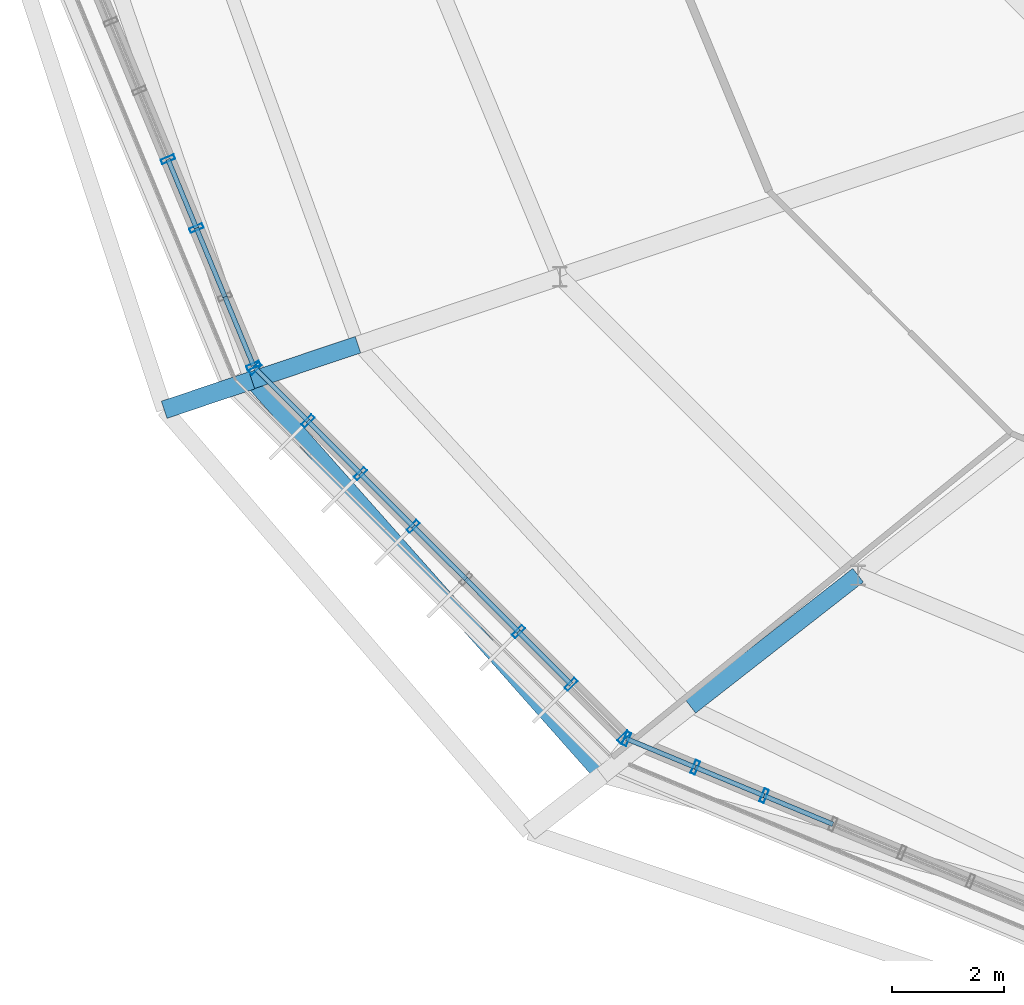
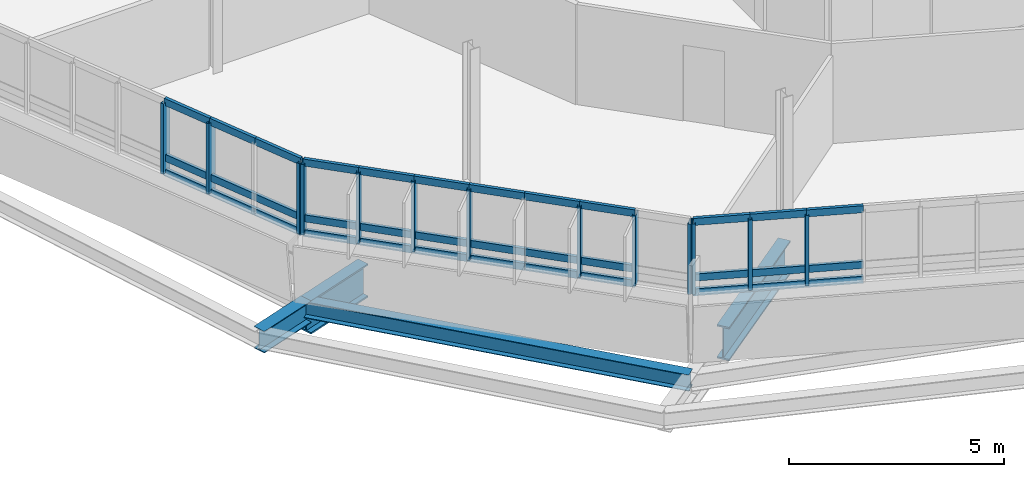
# One storey, part 5 of 31: 49 members, 4 beams, 3 elements without a shape of their own.
"""IFC4 building model written with IfcOpenShell, lengths in metres."""

from ifc_helpers import new_model, si_unit, derived_unit, direction, frame, origin, origin_2d, place, context, subcontext, project, spatial, hollow_rectangle, i_section, extrude, material, layer, layer_set, material_profile, profile_set, type_object, element, aggregate, save


model = new_model("IFC4")

# Units and contexts
model_context = context("Model", 3, precision=1e-05, world=origin(), true_north=direction((0.0, 1.0)))
body_context = subcontext(model_context, "Body", "Model", "MODEL_VIEW")
ifc_project = project(units=[si_unit("LENGTHUNIT", "METRE"), si_unit("AREAUNIT", "SQUARE_METRE"), si_unit("VOLUMEUNIT", "CUBIC_METRE"), si_unit("PLANEANGLEUNIT", "RADIAN"), si_unit("MASSUNIT", "GRAM", prefix="KILO"), derived_unit("THERMALTRANSMITTANCEUNIT", [(si_unit("MASSUNIT", "GRAM", prefix="KILO"), 1), (si_unit("TIMEUNIT", "SECOND"), -3), (si_unit("THERMODYNAMICTEMPERATUREUNIT", "KELVIN"), -1)])], contexts=[model_context])

# Site, building, storey
site_placement = place(None, origin())
site = spatial("IfcSite", under=ifc_project, at=site_placement, CompositionType="ELEMENT")
building_placement = place(site_placement, origin())
building = spatial("IfcBuilding", under=site, at=building_placement, Name="Makaiwela Harbour Ferry Terminal", CompositionType="ELEMENT")
storey_placement = place(building_placement, frame((0.0, 0.0, 21.60009765625)))
storey = spatial("IfcBuildingStorey", under=building, at=storey_placement, Name="L05", CompositionType="ELEMENT", Elevation=21.60009765625)

# Curtain wall, members
ifc_material_1 = material(Name="Marine anodised aluminium 6063-T6", Category="aluminium")
ifc_layer = layer(ifc_material_1, 0.199951171875)
ifc_layer_set = layer_set([ifc_layer], Name="Marine anodised aluminium 6063-T6")
curtain_wall_type = type_object("IfcCurtainWallType", Name="ENV-CW-07", PredefinedType="USERDEFINED", material=ifc_layer_set)
curtain_wall_1_placement = place(storey_placement, origin())
curtain_wall_1 = element("IfcCurtainWall", 1, at=curtain_wall_1_placement, inside=storey, type_object=curtain_wall_type, Name="Unitised Curtain Wall CWA-064", ObjectType="UNITIZED CURTAIN WALL", PredefinedType="USERDEFINED")
ifc_material_profile_1 = material_profile(ifc_material_1, hollow_rectangle(XDim=0.0849609375, YDim=0.25, WallThickness=0.0048828125, at=origin_2d()), Name="CWM-250X85")
ifc_profile_set_1 = profile_set([ifc_material_profile_1], Name="Marine anodised aluminium 6063-T6")
member_type_1 = type_object("IfcMemberType", Name="CW-MUL-250", PredefinedType="MULLION", material=ifc_profile_set_1)
member_1_placement = place(storey_placement, frame((14.057373046875, 59.47802734375, 1.47998046875), z_axis=(0.0, 0.0, 1.0), x_axis=(-0.382683432365, 0.923879532511, 0.0)))
member_1 = element("IfcMember", 2, at=member_1_placement, type_object=member_type_1, Name="Curtain Wall Mullion CWA-064-5", PredefinedType="MULLION", context=body_context, shape_type="SweptSolid", body=[
    extrude(hollow_rectangle(XDim=0.0849609375, YDim=0.25, WallThickness=0.0048828125, at=origin_2d()), origin(), (0.0, 0.0, 1.0), 2.0),
])
member_2_placement = place(storey_placement, frame((14.56591796875, 58.25, 1.47998046875), z_axis=(0.0, 0.0, 1.0), x_axis=(-0.382683432365, 0.923879532511, 0.0)))
member_2 = element("IfcMember", 3, at=member_2_placement, type_object=member_type_1, Name="Curtain Wall Mullion CWA-064-6", PredefinedType="MULLION", context=body_context, shape_type="SweptSolid", body=[
    extrude(hollow_rectangle(XDim=0.0849609375, YDim=0.25, WallThickness=0.0048828125, at=origin_2d()), origin(), (0.0, 0.0, 1.0), 2.0),
])
member_3_placement = place(storey_placement, frame((15.583251953125, 55.7939453125, 1.47998046875), z_axis=(0.0, 0.0, 1.0), x_axis=(-0.382683432365, 0.923879532511, 0.0)))
member_3 = element("IfcMember", 4, at=member_3_placement, type_object=member_type_1, Name="Curtain Wall Mullion CWA-064-8", PredefinedType="MULLION", context=body_context, shape_type="SweptSolid", body=[
    extrude(hollow_rectangle(XDim=0.0849609375, YDim=0.25, WallThickness=0.0048828125, at=origin_2d()), origin(), (0.0, 0.0, 1.0), 2.0),
])

curtain_wall_2_placement = place(storey_placement, origin())
curtain_wall_2 = element("IfcCurtainWall", 5, at=curtain_wall_2_placement, inside=storey, type_object=curtain_wall_type, Name="Unitised Curtain Wall CWA-065", ObjectType="UNITIZED CURTAIN WALL", PredefinedType="USERDEFINED")
member_4_placement = place(storey_placement, frame((15.615966796875, 55.7451171875, 1.47998046875), z_axis=(0.0, 0.0, 1.0), x_axis=(-0.707106781187, 0.707106781187, 0.0)))
member_4 = element("IfcMember", 6, at=member_4_placement, type_object=member_type_1, Name="Curtain Wall Mullion CWA-065-1", PredefinedType="MULLION", context=body_context, shape_type="SweptSolid", body=[
    extrude(hollow_rectangle(XDim=0.0849609375, YDim=0.25, WallThickness=0.0048828125, at=origin_2d()), origin(), (0.0, 0.0, 1.0), 2.0),
])
member_5_placement = place(storey_placement, frame((16.555908203125, 54.80517578125, 1.47998046875), z_axis=(0.0, 0.0, 1.0), x_axis=(-0.707106781187, 0.707106781187, 0.0)))
member_5 = element("IfcMember", 7, at=member_5_placement, type_object=member_type_1, Name="Curtain Wall Mullion CWA-065-2", PredefinedType="MULLION", context=body_context, shape_type="SweptSolid", body=[
    extrude(hollow_rectangle(XDim=0.0849609375, YDim=0.25, WallThickness=0.0048828125, at=origin_2d()), origin(), (0.0, 0.0, 1.0), 2.0),
])
member_6_placement = place(storey_placement, frame((17.49560546875, 53.865234375, 1.47998046875), z_axis=(0.0, 0.0, 1.0), x_axis=(-0.707106781187, 0.707106781187, 0.0)))
member_6 = element("IfcMember", 8, at=member_6_placement, type_object=member_type_1, Name="Curtain Wall Mullion CWA-065-3", PredefinedType="MULLION", context=body_context, shape_type="SweptSolid", body=[
    extrude(hollow_rectangle(XDim=0.0849609375, YDim=0.25, WallThickness=0.0048828125, at=origin_2d()), origin(), (0.0, 0.0, 1.0), 2.0),
])
member_7_placement = place(storey_placement, frame((18.435546875, 52.92529296875, 1.47998046875), z_axis=(0.0, 0.0, 1.0), x_axis=(-0.707106781187, 0.707106781187, 0.0)))
member_7 = element("IfcMember", 9, at=member_7_placement, type_object=member_type_1, Name="Curtain Wall Mullion CWA-065-4", PredefinedType="MULLION", context=body_context, shape_type="SweptSolid", body=[
    extrude(hollow_rectangle(XDim=0.0849609375, YDim=0.25, WallThickness=0.0048828125, at=origin_2d()), origin(), (0.0, 0.0, 1.0), 2.0),
])
member_8_placement = place(storey_placement, frame((20.315185546875, 51.045654296875, 1.47998046875), z_axis=(0.0, 0.0, 1.0), x_axis=(-0.707106781187, 0.707106781187, 0.0)))
member_8 = element("IfcMember", 10, at=member_8_placement, type_object=member_type_1, Name="Curtain Wall Mullion CWA-065-6", PredefinedType="MULLION", context=body_context, shape_type="SweptSolid", body=[
    extrude(hollow_rectangle(XDim=0.0849609375, YDim=0.25, WallThickness=0.0048828125, at=origin_2d()), origin(), (0.0, 0.0, 1.0), 2.0),
])
member_9_placement = place(storey_placement, frame((21.255126953125, 50.105712890625, 1.47998046875), z_axis=(0.0, 0.0, 1.0), x_axis=(-0.707106781187, 0.707106781187, 0.0)))
member_9 = element("IfcMember", 11, at=member_9_placement, type_object=member_type_1, Name="Curtain Wall Mullion CWA-065-7", PredefinedType="MULLION", context=body_context, shape_type="SweptSolid", body=[
    extrude(hollow_rectangle(XDim=0.0849609375, YDim=0.25, WallThickness=0.0048828125, at=origin_2d()), origin(), (0.0, 0.0, 1.0), 2.0),
])
member_10_placement = place(storey_placement, frame((22.195068359375, 49.166015625, 1.47998046875), z_axis=(0.0, 0.0, 1.0), x_axis=(-0.707106781187, 0.707106781187, 0.0)))
member_10 = element("IfcMember", 12, at=member_10_placement, type_object=member_type_1, Name="Curtain Wall Mullion CWA-065-8", PredefinedType="MULLION", context=body_context, shape_type="SweptSolid", body=[
    extrude(hollow_rectangle(XDim=0.0849609375, YDim=0.25, WallThickness=0.0048828125, at=origin_2d()), origin(), (0.0, 0.0, 1.0), 2.0),
])

curtain_wall_3_placement = place(storey_placement, origin())
curtain_wall_3 = element("IfcCurtainWall", 13, at=curtain_wall_3_placement, inside=storey, type_object=curtain_wall_type, Name="Unitised Curtain Wall CWA-066", ObjectType="UNITIZED CURTAIN WALL", PredefinedType="USERDEFINED")
member_11_placement = place(storey_placement, frame((22.243896484375, 49.13330078125, 1.47998046875), z_axis=(0.0, 0.0, 1.0), x_axis=(-0.923879532511, 0.382683432365, 0.0)))
member_11 = element("IfcMember", 14, at=member_11_placement, type_object=member_type_1, Name="Curtain Wall Mullion CWA-066-1", PredefinedType="MULLION", context=body_context, shape_type="SweptSolid", body=[
    extrude(hollow_rectangle(XDim=0.0849609375, YDim=0.25, WallThickness=0.0048828125, at=origin_2d()), origin(), (0.0, 0.0, 1.0), 2.0),
])
member_12_placement = place(storey_placement, frame((23.471923828125, 48.62451171875, 1.47998046875), z_axis=(0.0, 0.0, 1.0), x_axis=(-0.923879532511, 0.382683432365, 0.0)))
member_12 = element("IfcMember", 15, at=member_12_placement, type_object=member_type_1, Name="Curtain Wall Mullion CWA-066-2", PredefinedType="MULLION", context=body_context, shape_type="SweptSolid", body=[
    extrude(hollow_rectangle(XDim=0.0849609375, YDim=0.25, WallThickness=0.0048828125, at=origin_2d()), origin(), (0.0, 0.0, 1.0), 2.0),
])
member_13_placement = place(storey_placement, frame((24.699951171875, 48.115966796875, 1.47998046875), z_axis=(0.0, 0.0, 1.0), x_axis=(-0.923879532511, 0.382683432365, 0.0)))
member_13 = element("IfcMember", 16, at=member_13_placement, type_object=member_type_1, Name="Curtain Wall Mullion CWA-066-3", PredefinedType="MULLION", context=body_context, shape_type="SweptSolid", body=[
    extrude(hollow_rectangle(XDim=0.0849609375, YDim=0.25, WallThickness=0.0048828125, at=origin_2d()), origin(), (0.0, 0.0, 1.0), 2.0),
])

# Member
ifc_material_profile_2 = material_profile(ifc_material_1, hollow_rectangle(XDim=0.0849609375, YDim=0.199951171875, WallThickness=0.0048828125, at=origin_2d()), Name="CWT-200X85")
ifc_profile_set_2 = profile_set([ifc_material_profile_2], Name="Marine anodised aluminium 6063-T6")
member_type_2 = type_object("IfcMemberType", Name="CW-TRN-200", PredefinedType="USERDEFINED", material=ifc_profile_set_2)
member_14_placement = place(storey_placement, frame((14.057373046875, 59.47802734375, 1.47998046875), z_axis=(0.382605946964, -0.923911624209, 0.0), x_axis=(0.923911624209, 0.382605946964, 0.0)))
member_14 = element("IfcMember", 17, at=member_14_placement, type_object=member_type_2, Name="Curtain Wall Transom CWA-064-5-1", ObjectType="TRANSOM", PredefinedType="USERDEFINED", context=body_context, shape_type="SweptSolid", body=[
    extrude(hollow_rectangle(XDim=0.0849609375, YDim=0.199951171875, WallThickness=0.0048828125, at=origin_2d()), origin(), (0.0, 0.0, 1.0), 1.3291015625),
])

member_15_placement = place(storey_placement, frame((14.057373046875, 59.47802734375, 1.89990234375), z_axis=(0.382605946964, -0.923911624209, 0.0), x_axis=(0.923911624209, 0.382605946964, 0.0)))
member_15 = element("IfcMember", 18, at=member_15_placement, type_object=member_type_2, Name="Curtain Wall Transom CWA-064-5-2", ObjectType="TRANSOM", PredefinedType="USERDEFINED", context=body_context, shape_type="SweptSolid", body=[
    extrude(hollow_rectangle(XDim=0.0849609375, YDim=0.199951171875, WallThickness=0.0048828125, at=origin_2d()), origin(), (0.0, 0.0, 1.0), 1.3291015625),
])

member_16_placement = place(storey_placement, frame((14.057373046875, 59.47802734375, 3.47998046875), z_axis=(0.382605946964, -0.923911624209, 0.0), x_axis=(0.923911624209, 0.382605946964, 0.0)))
member_16 = element("IfcMember", 19, at=member_16_placement, type_object=member_type_2, Name="Curtain Wall Transom CWA-064-5-3", ObjectType="TRANSOM", PredefinedType="USERDEFINED", context=body_context, shape_type="SweptSolid", body=[
    extrude(hollow_rectangle(XDim=0.0849609375, YDim=0.199951171875, WallThickness=0.0048828125, at=origin_2d()), origin(), (0.0, 0.0, 1.0), 1.3291015625),
])

member_17_placement = place(storey_placement, frame((14.56591796875, 58.25, 1.47998046875), z_axis=(0.382762722221, -0.923846685591, 0.0), x_axis=(0.923846685591, 0.382762722221, 0.0)))
member_17 = element("IfcMember", 20, at=member_17_placement, type_object=member_type_2, Name="Curtain Wall Transom CWA-064-6-1", ObjectType="TRANSOM", PredefinedType="USERDEFINED", context=body_context, shape_type="SweptSolid", body=[
    extrude(hollow_rectangle(XDim=0.0849609375, YDim=0.199951171875, WallThickness=0.0048828125, at=origin_2d()), origin(), (0.0, 0.0, 1.0), 1.329345703125),
])

member_18_placement = place(storey_placement, frame((14.56591796875, 58.25, 1.89990234375), z_axis=(0.382762722221, -0.923846685591, 0.0), x_axis=(0.923846685591, 0.382762722221, 0.0)))
member_18 = element("IfcMember", 21, at=member_18_placement, type_object=member_type_2, Name="Curtain Wall Transom CWA-064-6-2", ObjectType="TRANSOM", PredefinedType="USERDEFINED", context=body_context, shape_type="SweptSolid", body=[
    extrude(hollow_rectangle(XDim=0.0849609375, YDim=0.199951171875, WallThickness=0.0048828125, at=origin_2d()), origin(), (0.0, 0.0, 1.0), 1.329345703125),
])

member_19_placement = place(storey_placement, frame((14.56591796875, 58.25, 3.47998046875), z_axis=(0.382762722221, -0.923846685591, 0.0), x_axis=(0.923846685591, 0.382762722221, 0.0)))
member_19 = element("IfcMember", 22, at=member_19_placement, type_object=member_type_2, Name="Curtain Wall Transom CWA-064-6-3", ObjectType="TRANSOM", PredefinedType="USERDEFINED", context=body_context, shape_type="SweptSolid", body=[
    extrude(hollow_rectangle(XDim=0.0849609375, YDim=0.199951171875, WallThickness=0.0048828125, at=origin_2d()), origin(), (0.0, 0.0, 1.0), 1.329345703125),
])

member_20_placement = place(storey_placement, frame((15.07470703125, 57.02197265625, 1.47998046875), z_axis=(0.382605946964, -0.923911624209, 0.0), x_axis=(0.923911624209, 0.382605946964, 0.0)))
member_20 = element("IfcMember", 23, at=member_20_placement, type_object=member_type_2, Name="Curtain Wall Transom CWA-064-7-1", ObjectType="TRANSOM", PredefinedType="USERDEFINED", context=body_context, shape_type="SweptSolid", body=[
    extrude(hollow_rectangle(XDim=0.0849609375, YDim=0.199951171875, WallThickness=0.0048828125, at=origin_2d()), origin(), (0.0, 0.0, 1.0), 1.3291015625),
])

member_21_placement = place(storey_placement, frame((15.07470703125, 57.02197265625, 1.89990234375), z_axis=(0.382605946964, -0.923911624209, 0.0), x_axis=(0.923911624209, 0.382605946964, 0.0)))
member_21 = element("IfcMember", 24, at=member_21_placement, type_object=member_type_2, Name="Curtain Wall Transom CWA-064-7-2", ObjectType="TRANSOM", PredefinedType="USERDEFINED", context=body_context, shape_type="SweptSolid", body=[
    extrude(hollow_rectangle(XDim=0.0849609375, YDim=0.199951171875, WallThickness=0.0048828125, at=origin_2d()), origin(), (0.0, 0.0, 1.0), 1.3291015625),
])

member_22_placement = place(storey_placement, frame((15.07470703125, 57.02197265625, 3.47998046875), z_axis=(0.382605946964, -0.923911624209, 0.0), x_axis=(0.923911624209, 0.382605946964, 0.0)))
member_22 = element("IfcMember", 25, at=member_22_placement, type_object=member_type_2, Name="Curtain Wall Transom CWA-064-7-3", ObjectType="TRANSOM", PredefinedType="USERDEFINED", context=body_context, shape_type="SweptSolid", body=[
    extrude(hollow_rectangle(XDim=0.0849609375, YDim=0.199951171875, WallThickness=0.0048828125, at=origin_2d()), origin(), (0.0, 0.0, 1.0), 1.3291015625),
])

aggregate(curtain_wall_1, [member_1, member_2, member_3, member_14, member_15, member_16, member_17, member_18, member_19, member_20, member_21, member_22])

member_23_placement = place(storey_placement, frame((15.615966796875, 55.7451171875, 1.47998046875), z_axis=(0.707106781187, -0.707106781187, 0.0), x_axis=(0.707106781187, 0.707106781187, 0.0)))
member_23 = element("IfcMember", 26, at=member_23_placement, type_object=member_type_2, Name="Curtain Wall Transom CWA-065-1-1", ObjectType="TRANSOM", PredefinedType="USERDEFINED", context=body_context, shape_type="SweptSolid", body=[
    extrude(hollow_rectangle(XDim=0.0849609375, YDim=0.199951171875, WallThickness=0.0048828125, at=origin_2d()), origin(), (0.0, 0.0, 1.0), 1.329345703125),
])

member_24_placement = place(storey_placement, frame((15.615966796875, 55.7451171875, 1.89990234375), z_axis=(0.707106781187, -0.707106781187, 0.0), x_axis=(0.707106781187, 0.707106781187, 0.0)))
member_24 = element("IfcMember", 27, at=member_24_placement, type_object=member_type_2, Name="Curtain Wall Transom CWA-065-1-2", ObjectType="TRANSOM", PredefinedType="USERDEFINED", context=body_context, shape_type="SweptSolid", body=[
    extrude(hollow_rectangle(XDim=0.0849609375, YDim=0.199951171875, WallThickness=0.0048828125, at=origin_2d()), origin(), (0.0, 0.0, 1.0), 1.329345703125),
])

member_25_placement = place(storey_placement, frame((15.615966796875, 55.7451171875, 3.47998046875), z_axis=(0.707106781187, -0.707106781187, 0.0), x_axis=(0.707106781187, 0.707106781187, 0.0)))
member_25 = element("IfcMember", 28, at=member_25_placement, type_object=member_type_2, Name="Curtain Wall Transom CWA-065-1-3", ObjectType="TRANSOM", PredefinedType="USERDEFINED", context=body_context, shape_type="SweptSolid", body=[
    extrude(hollow_rectangle(XDim=0.0849609375, YDim=0.199951171875, WallThickness=0.0048828125, at=origin_2d()), origin(), (0.0, 0.0, 1.0), 1.329345703125),
])

member_26_placement = place(storey_placement, frame((16.555908203125, 54.80517578125, 1.47998046875), z_axis=(0.707014931245, -0.707198619198, 0.0), x_axis=(0.707198619198, 0.707014931245, 0.0)))
member_26 = element("IfcMember", 29, at=member_26_placement, type_object=member_type_2, Name="Curtain Wall Transom CWA-065-2-1", ObjectType="TRANSOM", PredefinedType="USERDEFINED", context=body_context, shape_type="SweptSolid", body=[
    extrude(hollow_rectangle(XDim=0.0849609375, YDim=0.199951171875, WallThickness=0.0048828125, at=origin_2d()), origin(), (0.0, 0.0, 1.0), 1.3291015625),
])

member_27_placement = place(storey_placement, frame((16.555908203125, 54.80517578125, 1.89990234375), z_axis=(0.707014931245, -0.707198619198, 0.0), x_axis=(0.707198619198, 0.707014931245, 0.0)))
member_27 = element("IfcMember", 30, at=member_27_placement, type_object=member_type_2, Name="Curtain Wall Transom CWA-065-2-2", ObjectType="TRANSOM", PredefinedType="USERDEFINED", context=body_context, shape_type="SweptSolid", body=[
    extrude(hollow_rectangle(XDim=0.0849609375, YDim=0.199951171875, WallThickness=0.0048828125, at=origin_2d()), origin(), (0.0, 0.0, 1.0), 1.3291015625),
])

member_28_placement = place(storey_placement, frame((16.555908203125, 54.80517578125, 3.47998046875), z_axis=(0.707014931245, -0.707198619198, 0.0), x_axis=(0.707198619198, 0.707014931245, 0.0)))
member_28 = element("IfcMember", 31, at=member_28_placement, type_object=member_type_2, Name="Curtain Wall Transom CWA-065-2-3", ObjectType="TRANSOM", PredefinedType="USERDEFINED", context=body_context, shape_type="SweptSolid", body=[
    extrude(hollow_rectangle(XDim=0.0849609375, YDim=0.199951171875, WallThickness=0.0048828125, at=origin_2d()), origin(), (0.0, 0.0, 1.0), 1.3291015625),
])

member_29_placement = place(storey_placement, frame((17.49560546875, 53.865234375, 1.47998046875), z_axis=(0.707106781187, -0.707106781187, 0.0), x_axis=(0.707106781187, 0.707106781187, 0.0)))
member_29 = element("IfcMember", 32, at=member_29_placement, type_object=member_type_2, Name="Curtain Wall Transom CWA-065-3-1", ObjectType="TRANSOM", PredefinedType="USERDEFINED", context=body_context, shape_type="SweptSolid", body=[
    extrude(hollow_rectangle(XDim=0.0849609375, YDim=0.199951171875, WallThickness=0.0048828125, at=origin_2d()), origin(), (0.0, 0.0, 1.0), 1.329345703125),
])

member_30_placement = place(storey_placement, frame((17.49560546875, 53.865234375, 1.89990234375), z_axis=(0.707106781187, -0.707106781187, 0.0), x_axis=(0.707106781187, 0.707106781187, 0.0)))
member_30 = element("IfcMember", 33, at=member_30_placement, type_object=member_type_2, Name="Curtain Wall Transom CWA-065-3-2", ObjectType="TRANSOM", PredefinedType="USERDEFINED", context=body_context, shape_type="SweptSolid", body=[
    extrude(hollow_rectangle(XDim=0.0849609375, YDim=0.199951171875, WallThickness=0.0048828125, at=origin_2d()), origin(), (0.0, 0.0, 1.0), 1.329345703125),
])

member_31_placement = place(storey_placement, frame((17.49560546875, 53.865234375, 3.47998046875), z_axis=(0.707106781187, -0.707106781187, 0.0), x_axis=(0.707106781187, 0.707106781187, 0.0)))
member_31 = element("IfcMember", 34, at=member_31_placement, type_object=member_type_2, Name="Curtain Wall Transom CWA-065-3-3", ObjectType="TRANSOM", PredefinedType="USERDEFINED", context=body_context, shape_type="SweptSolid", body=[
    extrude(hollow_rectangle(XDim=0.0849609375, YDim=0.199951171875, WallThickness=0.0048828125, at=origin_2d()), origin(), (0.0, 0.0, 1.0), 1.329345703125),
])

member_32_placement = place(storey_placement, frame((18.435546875, 52.92529296875, 1.47998046875), z_axis=(0.707198619198, -0.707014931245, 0.0), x_axis=(0.707014931245, 0.707198619198, 0.0)))
member_32 = element("IfcMember", 35, at=member_32_placement, type_object=member_type_2, Name="Curtain Wall Transom CWA-065-4-1", ObjectType="TRANSOM", PredefinedType="USERDEFINED", context=body_context, shape_type="SweptSolid", body=[
    extrude(hollow_rectangle(XDim=0.0849609375, YDim=0.199951171875, WallThickness=0.0048828125, at=origin_2d()), origin(), (0.0, 0.0, 1.0), 1.3291015625),
])

member_33_placement = place(storey_placement, frame((18.435546875, 52.92529296875, 1.89990234375), z_axis=(0.707198619198, -0.707014931245, 0.0), x_axis=(0.707014931245, 0.707198619198, 0.0)))
member_33 = element("IfcMember", 36, at=member_33_placement, type_object=member_type_2, Name="Curtain Wall Transom CWA-065-4-2", ObjectType="TRANSOM", PredefinedType="USERDEFINED", context=body_context, shape_type="SweptSolid", body=[
    extrude(hollow_rectangle(XDim=0.0849609375, YDim=0.199951171875, WallThickness=0.0048828125, at=origin_2d()), origin(), (0.0, 0.0, 1.0), 1.3291015625),
])

member_34_placement = place(storey_placement, frame((18.435546875, 52.92529296875, 3.47998046875), z_axis=(0.707198619198, -0.707014931245, 0.0), x_axis=(0.707014931245, 0.707198619198, 0.0)))
member_34 = element("IfcMember", 37, at=member_34_placement, type_object=member_type_2, Name="Curtain Wall Transom CWA-065-4-3", ObjectType="TRANSOM", PredefinedType="USERDEFINED", context=body_context, shape_type="SweptSolid", body=[
    extrude(hollow_rectangle(XDim=0.0849609375, YDim=0.199951171875, WallThickness=0.0048828125, at=origin_2d()), origin(), (0.0, 0.0, 1.0), 1.3291015625),
])

member_35_placement = place(storey_placement, frame((19.37548828125, 51.985595703125, 1.47998046875), z_axis=(0.707014931245, -0.707198619198, 0.0), x_axis=(0.707198619198, 0.707014931245, 0.0)))
member_35 = element("IfcMember", 38, at=member_35_placement, type_object=member_type_2, Name="Curtain Wall Transom CWA-065-5-1", ObjectType="TRANSOM", PredefinedType="USERDEFINED", context=body_context, shape_type="SweptSolid", body=[
    extrude(hollow_rectangle(XDim=0.0849609375, YDim=0.199951171875, WallThickness=0.0048828125, at=origin_2d()), origin(), (0.0, 0.0, 1.0), 1.3291015625),
])

member_36_placement = place(storey_placement, frame((19.37548828125, 51.985595703125, 1.89990234375), z_axis=(0.707014931245, -0.707198619198, 0.0), x_axis=(0.707198619198, 0.707014931245, 0.0)))
member_36 = element("IfcMember", 39, at=member_36_placement, type_object=member_type_2, Name="Curtain Wall Transom CWA-065-5-2", ObjectType="TRANSOM", PredefinedType="USERDEFINED", context=body_context, shape_type="SweptSolid", body=[
    extrude(hollow_rectangle(XDim=0.0849609375, YDim=0.199951171875, WallThickness=0.0048828125, at=origin_2d()), origin(), (0.0, 0.0, 1.0), 1.3291015625),
])

member_37_placement = place(storey_placement, frame((19.37548828125, 51.985595703125, 3.47998046875), z_axis=(0.707014931245, -0.707198619198, 0.0), x_axis=(0.707198619198, 0.707014931245, 0.0)))
member_37 = element("IfcMember", 40, at=member_37_placement, type_object=member_type_2, Name="Curtain Wall Transom CWA-065-5-3", ObjectType="TRANSOM", PredefinedType="USERDEFINED", context=body_context, shape_type="SweptSolid", body=[
    extrude(hollow_rectangle(XDim=0.0849609375, YDim=0.199951171875, WallThickness=0.0048828125, at=origin_2d()), origin(), (0.0, 0.0, 1.0), 1.3291015625),
])

member_38_placement = place(storey_placement, frame((20.315185546875, 51.045654296875, 1.47998046875), z_axis=(0.707106781187, -0.707106781187, 0.0), x_axis=(0.707106781187, 0.707106781187, 0.0)))
member_38 = element("IfcMember", 41, at=member_38_placement, type_object=member_type_2, Name="Curtain Wall Transom CWA-065-6-1", ObjectType="TRANSOM", PredefinedType="USERDEFINED", context=body_context, shape_type="SweptSolid", body=[
    extrude(hollow_rectangle(XDim=0.0849609375, YDim=0.199951171875, WallThickness=0.0048828125, at=origin_2d()), origin(), (0.0, 0.0, 1.0), 1.329345703125),
])

member_39_placement = place(storey_placement, frame((20.315185546875, 51.045654296875, 1.89990234375), z_axis=(0.707106781187, -0.707106781187, 0.0), x_axis=(0.707106781187, 0.707106781187, 0.0)))
member_39 = element("IfcMember", 42, at=member_39_placement, type_object=member_type_2, Name="Curtain Wall Transom CWA-065-6-2", ObjectType="TRANSOM", PredefinedType="USERDEFINED", context=body_context, shape_type="SweptSolid", body=[
    extrude(hollow_rectangle(XDim=0.0849609375, YDim=0.199951171875, WallThickness=0.0048828125, at=origin_2d()), origin(), (0.0, 0.0, 1.0), 1.329345703125),
])

member_40_placement = place(storey_placement, frame((20.315185546875, 51.045654296875, 3.47998046875), z_axis=(0.707106781187, -0.707106781187, 0.0), x_axis=(0.707106781187, 0.707106781187, 0.0)))
member_40 = element("IfcMember", 43, at=member_40_placement, type_object=member_type_2, Name="Curtain Wall Transom CWA-065-6-3", ObjectType="TRANSOM", PredefinedType="USERDEFINED", context=body_context, shape_type="SweptSolid", body=[
    extrude(hollow_rectangle(XDim=0.0849609375, YDim=0.199951171875, WallThickness=0.0048828125, at=origin_2d()), origin(), (0.0, 0.0, 1.0), 1.329345703125),
])

aggregate(curtain_wall_2, [member_4, member_5, member_6, member_7, member_8, member_9, member_10, member_23, member_24, member_25, member_26, member_27, member_28, member_29, member_30, member_31, member_32, member_33, member_34, member_35, member_36, member_37, member_38, member_39, member_40])

member_41_placement = place(storey_placement, frame((22.243896484375, 49.13330078125, 1.47998046875), z_axis=(0.923846685591, -0.382762722221, 0.0), x_axis=(0.382762722221, 0.923846685591, 0.0)))
member_41 = element("IfcMember", 44, at=member_41_placement, type_object=member_type_2, Name="Curtain Wall Transom CWA-066-1-1", ObjectType="TRANSOM", PredefinedType="USERDEFINED", context=body_context, shape_type="SweptSolid", body=[
    extrude(hollow_rectangle(XDim=0.0849609375, YDim=0.199951171875, WallThickness=0.0048828125, at=origin_2d()), origin(), (0.0, 0.0, 1.0), 1.329345703125),
])

member_42_placement = place(storey_placement, frame((22.243896484375, 49.13330078125, 1.89990234375), z_axis=(0.923846685591, -0.382762722221, 0.0), x_axis=(0.382762722221, 0.923846685591, 0.0)))
member_42 = element("IfcMember", 45, at=member_42_placement, type_object=member_type_2, Name="Curtain Wall Transom CWA-066-1-2", ObjectType="TRANSOM", PredefinedType="USERDEFINED", context=body_context, shape_type="SweptSolid", body=[
    extrude(hollow_rectangle(XDim=0.0849609375, YDim=0.199951171875, WallThickness=0.0048828125, at=origin_2d()), origin(), (0.0, 0.0, 1.0), 1.329345703125),
])

member_43_placement = place(storey_placement, frame((22.243896484375, 49.13330078125, 3.47998046875), z_axis=(0.923846685591, -0.382762722221, 0.0), x_axis=(0.382762722221, 0.923846685591, 0.0)))
member_43 = element("IfcMember", 46, at=member_43_placement, type_object=member_type_2, Name="Curtain Wall Transom CWA-066-1-3", ObjectType="TRANSOM", PredefinedType="USERDEFINED", context=body_context, shape_type="SweptSolid", body=[
    extrude(hollow_rectangle(XDim=0.0849609375, YDim=0.199951171875, WallThickness=0.0048828125, at=origin_2d()), origin(), (0.0, 0.0, 1.0), 1.329345703125),
])

member_44_placement = place(storey_placement, frame((23.471923828125, 48.62451171875, 1.47998046875), z_axis=(0.923911624209, -0.382605946964, 0.0), x_axis=(0.382605946964, 0.923911624209, 0.0)))
member_44 = element("IfcMember", 47, at=member_44_placement, type_object=member_type_2, Name="Curtain Wall Transom CWA-066-2-1", ObjectType="TRANSOM", PredefinedType="USERDEFINED", context=body_context, shape_type="SweptSolid", body=[
    extrude(hollow_rectangle(XDim=0.0849609375, YDim=0.199951171875, WallThickness=0.0048828125, at=origin_2d()), origin(), (0.0, 0.0, 1.0), 1.3291015625),
])

member_45_placement = place(storey_placement, frame((23.471923828125, 48.62451171875, 1.89990234375), z_axis=(0.923911624209, -0.382605946964, 0.0), x_axis=(0.382605946964, 0.923911624209, 0.0)))
member_45 = element("IfcMember", 48, at=member_45_placement, type_object=member_type_2, Name="Curtain Wall Transom CWA-066-2-2", ObjectType="TRANSOM", PredefinedType="USERDEFINED", context=body_context, shape_type="SweptSolid", body=[
    extrude(hollow_rectangle(XDim=0.0849609375, YDim=0.199951171875, WallThickness=0.0048828125, at=origin_2d()), origin(), (0.0, 0.0, 1.0), 1.3291015625),
])

member_46_placement = place(storey_placement, frame((23.471923828125, 48.62451171875, 3.47998046875), z_axis=(0.923911624209, -0.382605946964, 0.0), x_axis=(0.382605946964, 0.923911624209, 0.0)))
member_46 = element("IfcMember", 49, at=member_46_placement, type_object=member_type_2, Name="Curtain Wall Transom CWA-066-2-3", ObjectType="TRANSOM", PredefinedType="USERDEFINED", context=body_context, shape_type="SweptSolid", body=[
    extrude(hollow_rectangle(XDim=0.0849609375, YDim=0.199951171875, WallThickness=0.0048828125, at=origin_2d()), origin(), (0.0, 0.0, 1.0), 1.3291015625),
])

member_47_placement = place(storey_placement, frame((24.699951171875, 48.115966796875, 1.47998046875), z_axis=(0.923911624209, -0.382605946964, 0.0), x_axis=(0.382605946964, 0.923911624209, 0.0)))
member_47 = element("IfcMember", 50, at=member_47_placement, type_object=member_type_2, Name="Curtain Wall Transom CWA-066-3-1", ObjectType="TRANSOM", PredefinedType="USERDEFINED", context=body_context, shape_type="SweptSolid", body=[
    extrude(hollow_rectangle(XDim=0.0849609375, YDim=0.199951171875, WallThickness=0.0048828125, at=origin_2d()), origin(), (0.0, 0.0, 1.0), 1.3291015625),
])

member_48_placement = place(storey_placement, frame((24.699951171875, 48.115966796875, 1.89990234375), z_axis=(0.923911624209, -0.382605946964, 0.0), x_axis=(0.382605946964, 0.923911624209, 0.0)))
member_48 = element("IfcMember", 51, at=member_48_placement, type_object=member_type_2, Name="Curtain Wall Transom CWA-066-3-2", ObjectType="TRANSOM", PredefinedType="USERDEFINED", context=body_context, shape_type="SweptSolid", body=[
    extrude(hollow_rectangle(XDim=0.0849609375, YDim=0.199951171875, WallThickness=0.0048828125, at=origin_2d()), origin(), (0.0, 0.0, 1.0), 1.3291015625),
])

member_49_placement = place(storey_placement, frame((24.699951171875, 48.115966796875, 3.47998046875), z_axis=(0.923911624209, -0.382605946964, 0.0), x_axis=(0.382605946964, 0.923911624209, 0.0)))
member_49 = element("IfcMember", 52, at=member_49_placement, type_object=member_type_2, Name="Curtain Wall Transom CWA-066-3-3", ObjectType="TRANSOM", PredefinedType="USERDEFINED", context=body_context, shape_type="SweptSolid", body=[
    extrude(hollow_rectangle(XDim=0.0849609375, YDim=0.199951171875, WallThickness=0.0048828125, at=origin_2d()), origin(), (0.0, 0.0, 1.0), 1.3291015625),
])

aggregate(curtain_wall_3, [member_11, member_12, member_13, member_41, member_42, member_43, member_44, member_45, member_46, member_47, member_48, member_49])

# Beams
ifc_material_2 = material(Name="Steel ASTM A992 Grade 50", Category="steel")
ifc_material_profile_3 = material_profile(ifc_material_2, i_section(OverallWidth=0.280029296875, OverallDepth=0.462890625, WebThickness=0.0107421875, FlangeThickness=0.017333984375, at=origin_2d()), Name="W18X76")
ifc_profile_set_3 = profile_set([ifc_material_profile_3], Name="Steel ASTM A992 Grade 50")
beam_type_1 = type_object("IfcBeamType", Name="STR-BM-W18X76", PredefinedType="BEAM", material=ifc_profile_set_3)
beam_1_placement = place(storey_placement, frame((15.55419921875, 55.531494140625, -0.481689453125), z_axis=(0.663557769393, -0.748125047488, 0.0), x_axis=(0.748125047488, 0.663557769393, 0.0)))
element("IfcBeam", 53, at=beam_1_placement, inside=storey, type_object=beam_type_1, Name="Drum stage2 tie girder 596", PredefinedType="BEAM", context=body_context, shape_type="SweptSolid", body=[
    extrude(i_section(OverallWidth=0.280029296875, OverallDepth=0.462890625, WebThickness=0.0107421875, FlangeThickness=0.017333984375, at=origin_2d()), origin(), (0.0, 0.0, 1.0), 9.4228515625),
])
ifc_material_profile_4 = material_profile(ifc_material_2, i_section(OverallWidth=0.324951171875, OverallDepth=0.615966796875, WebThickness=0.013916015625, FlangeThickness=0.021484375, at=origin_2d()), Name="W24X117")
ifc_profile_set_4 = profile_set([ifc_material_profile_4], Name="Steel ASTM A992 Grade 50")
beam_type_2 = type_object("IfcBeamType", Name="STR-GRD-W24X117", PredefinedType="USERDEFINED", material=ifc_profile_set_4)
beam_2_placement = place(storey_placement, frame((15.55419921875, 55.531494140625, -0.55810546875), z_axis=(-0.948000469723, -0.318268926233, 0.0), x_axis=(0.318268926233, -0.948000469723, 0.0)))
element("IfcBeam", 54, at=beam_2_placement, inside=storey, type_object=beam_type_2, Name="Promenade terrace bracket 560", ObjectType="GIRDER", PredefinedType="USERDEFINED", context=body_context, shape_type="SweptSolid", body=[
    extrude(i_section(OverallWidth=0.324951171875, OverallDepth=0.615966796875, WebThickness=0.013916015625, FlangeThickness=0.021484375, at=origin_2d()), origin(), (0.0, 0.0, 1.0), 1.64990234375),
])
ifc_material_profile_5 = material_profile(ifc_material_2, i_section(OverallWidth=0.31005859375, OverallDepth=0.949951171875, WebThickness=0.0244140625, FlangeThickness=0.0439453125, at=origin_2d()), Name="W36X256")
ifc_profile_set_5 = profile_set([ifc_material_profile_5], Name="Steel ASTM A992 Grade 50")
beam_type_3 = type_object("IfcBeamType", Name="STR-GRD-W36X256", PredefinedType="USERDEFINED", material=ifc_profile_set_5)
beam_3_placement = place(storey_placement, frame((17.4501953125, 56.168212890625, -0.72509765625), z_axis=(-0.947972931362, -0.318350940638, 0.0), x_axis=(0.318350940638, -0.947972931362, 0.0)))
element("IfcBeam", 55, at=beam_3_placement, inside=storey, type_object=beam_type_3, Name="Drum overhang radial girder 559", ObjectType="GIRDER", PredefinedType="USERDEFINED", context=body_context, shape_type="SweptSolid", body=[
    extrude(i_section(OverallWidth=0.31005859375, OverallDepth=0.949951171875, WebThickness=0.0244140625, FlangeThickness=0.0439453125, at=origin_2d()), origin(), (0.0, 0.0, 1.0), 2.0),
])
beam_4_placement = place(storey_placement, frame((26.37744140625, 52.052490234375, -0.72509765625), z_axis=(-0.788080866077, -0.615571724921, 0.0), x_axis=(0.615571724921, -0.788080866077, 0.0)))
element("IfcBeam", 56, at=beam_4_placement, inside=storey, type_object=beam_type_3, Name="Drum radial overhang 562", ObjectType="GIRDER", PredefinedType="USERDEFINED", context=body_context, shape_type="SweptSolid", body=[
    extrude(i_section(OverallWidth=0.31005859375, OverallDepth=0.949951171875, WebThickness=0.0244140625, FlangeThickness=0.0439453125, at=origin_2d()), origin(), (0.0, 0.0, 1.0), 3.7998046875),
])

save(model, "model.ifc")
